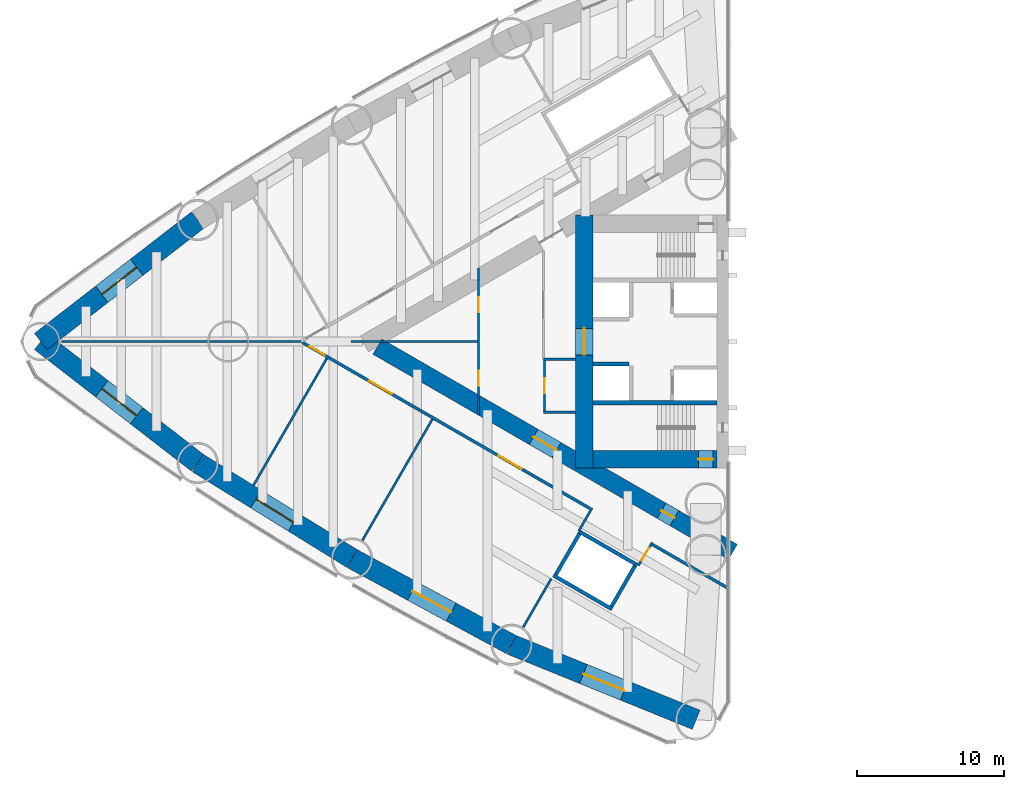
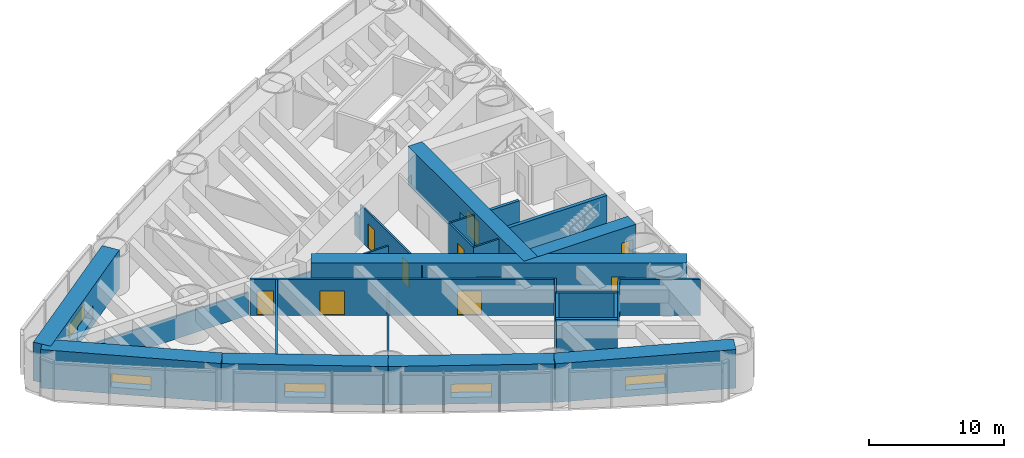
# One storey, part 15 of 20: 28 walls, 11 doors, 5 windows, 16 openings.
"""IFC4 building model written with IfcOpenShell, lengths in metres."""

from ifc_helpers import new_model, si_unit, direction, frame, frame_2d, origin, place, context, subcontext, project, spatial, rectangle, extrude, material, layer, layer_set, type_object, element, fill, save


model = new_model("IFC4")

# Units and contexts
model_context = context("Model", 3, precision=1e-05, world=origin(), true_north=direction((0.0, 1.0)))
body_context = subcontext(model_context, "Body", "Model", "MODEL_VIEW")
ifc_project = project(units=[si_unit("LENGTHUNIT", "METRE"), si_unit("AREAUNIT", "SQUARE_METRE"), si_unit("VOLUMEUNIT", "CUBIC_METRE"), si_unit("PLANEANGLEUNIT", "RADIAN"), si_unit("MASSUNIT", "GRAM", prefix="KILO")], contexts=[model_context])

# Site, building, storey
site_placement = place(None, origin())
site = spatial("IfcSite", under=ifc_project, at=site_placement, CompositionType="ELEMENT")
building_placement = place(site_placement, origin())
building = spatial("IfcBuilding", under=site, at=building_placement, Name="Lancet Gate Hotel", CompositionType="ELEMENT")
storey_placement = place(building_placement, frame((0.0, 0.0, 77.5)))
storey = spatial("IfcBuildingStorey", under=building, at=storey_placement, Name="L20", CompositionType="ELEMENT", Elevation=77.5)

# Wall, opening, window
ifc_material_1 = material(Name="Concrete C80/95", Category="concrete")
ifc_layer_1 = layer(ifc_material_1, 1.39990234375)
ifc_layer_set_1 = layer_set([ifc_layer_1], Name="Belt wall 1400")
wall_type_1 = type_object("IfcWallType", Name="Belt wall 1400", PredefinedType="SHEAR", material=ifc_layer_set_1)
wall_1_placement = place(storey_placement, frame((-63.57177734375, 8.255126953125, 0.0), z_axis=(0.0, 0.0, 1.0), x_axis=(-0.790736428665, -0.612156761281, 0.0)))
wall_1 = element("IfcWall", 1, at=wall_1_placement, inside=storey, type_object=wall_type_1, Name="T1 belt wall OS3-CA L20", PredefinedType="SHEAR", context=body_context, shape_type="SweptSolid", body=[
    extrude(rectangle(XDim=13.4853515625, YDim=1.39990234375, at=frame_2d((6.74267578125, 0.0))), origin(), (0.0, 0.0, 1.0), 3.5),
])
opening_1_placement = place(wall_1_placement, frame((5.24267578125, 0.0, 0.60009765625)))
opening_1 = element("IfcOpeningElement", 2, at=opening_1_placement, cuts=wall_1, Name="Opening LV1", PredefinedType="OPENING", context=body_context, shape_type="SweptSolid", body=[
    extrude(rectangle(XDim=3.0, YDim=1.199951171875, at=frame_2d((1.5, 0.60009765625))), frame((0.0, 0.7099609375, 0.0), z_axis=(0.0, -1.0, 0.0), x_axis=(1.0, 0.0, 0.0)), (0.0, 0.0, 1.0), 1.419921875),
])
ifc_material_2 = material(Name="Aluminium weather louvre", Category="aluminium")
window_type = type_object("IfcWindowType", Name="Refuge louvre 3000x1200", PartitioningType="SINGLE_PANEL", PredefinedType="WINDOW", material=ifc_material_2)
window_1_placement = place(opening_1_placement, origin())
window_1 = element("IfcWindow", 3, at=window_1_placement, inside=storey, type_object=window_type, Name="T1 belt louvre OS3-CA L20", OverallHeight=1.199951171875, OverallWidth=3.0, PartitioningType="SINGLE_PANEL", PredefinedType="WINDOW", context=body_context, shape_type="SweptSolid", body=[
    extrude(rectangle(XDim=3.0, YDim=1.199951171875, at=frame_2d((1.5, 0.60009765625))), frame((0.0, 0.030029296875, 0.0), z_axis=(0.0, -1.0, 0.0), x_axis=(1.0, 0.0, 0.0)), (0.0, 0.0, 1.0), 0.06005859375),
])
fill(opening_1, window_1)

wall_2_placement = place(storey_placement, frame((-74.235107421875, 0.0, 0.0), z_axis=(0.0, 0.0, 1.0), x_axis=(0.790736428665, -0.612156761281, 0.0)))
wall_2 = element("IfcWall", 4, at=wall_2_placement, inside=storey, type_object=wall_type_1, Name="T1 belt wall CA-ON1 L20", PredefinedType="SHEAR", context=body_context, shape_type="SweptSolid", body=[
    extrude(rectangle(XDim=13.4853515625, YDim=1.39990234375, at=frame_2d((6.74267578125, 0.0))), origin(), (0.0, 0.0, 1.0), 3.5),
])
opening_2_placement = place(wall_2_placement, frame((5.24267578125, 0.0, 0.60009765625)))
opening_2 = element("IfcOpeningElement", 5, at=opening_2_placement, cuts=wall_2, Name="Opening LV1", PredefinedType="OPENING", context=body_context, shape_type="SweptSolid", body=[
    extrude(rectangle(XDim=3.0, YDim=1.199951171875, at=frame_2d((1.5, 0.60009765625))), frame((0.0, 0.7099609375, 0.0), z_axis=(0.0, -1.0, 0.0), x_axis=(1.0, 0.0, 0.0)), (0.0, 0.0, 1.0), 1.419921875),
])
window_2_placement = place(opening_2_placement, origin())
window_2 = element("IfcWindow", 6, at=window_2_placement, inside=storey, type_object=window_type, Name="T1 belt louvre CA-ON1 L20", OverallHeight=1.199951171875, OverallWidth=3.0, PartitioningType="SINGLE_PANEL", PredefinedType="WINDOW", context=body_context, shape_type="SweptSolid", body=[
    extrude(rectangle(XDim=3.0, YDim=1.199951171875, at=frame_2d((1.5, 0.60009765625))), frame((0.0, 0.030029296875, 0.0), z_axis=(0.0, -1.0, 0.0), x_axis=(1.0, 0.0, 0.0)), (0.0, 0.0, 1.0), 0.06005859375),
])
fill(opening_2, window_2)

wall_3_placement = place(storey_placement, frame((-63.57177734375, -8.255126953125, 0.0), z_axis=(0.0, 0.0, 1.0), x_axis=(0.850225894333, -0.526418016984, 0.0)))
wall_3 = element("IfcWall", 7, at=wall_3_placement, inside=storey, type_object=wall_type_1, Name="T1 belt wall ON1-ON2 L20", PredefinedType="SHEAR", context=body_context, shape_type="SweptSolid", body=[
    extrude(rectangle(XDim=12.328125, YDim=1.39990234375, at=frame_2d((6.1640625, 0.0))), origin(), (0.0, 0.0, 1.0), 3.5),
])
opening_3_placement = place(wall_3_placement, frame((4.6640625, 0.0, 0.60009765625)))
opening_3 = element("IfcOpeningElement", 8, at=opening_3_placement, cuts=wall_3, Name="Opening LV1", PredefinedType="OPENING", context=body_context, shape_type="SweptSolid", body=[
    extrude(rectangle(XDim=3.0, YDim=1.199951171875, at=frame_2d((1.5, 0.60009765625))), frame((0.0, 0.7099609375, 0.0), z_axis=(0.0, -1.0, 0.0), x_axis=(1.0, 0.0, 0.0)), (0.0, 0.0, 1.0), 1.419921875),
])
window_3_placement = place(opening_3_placement, origin())
window_3 = element("IfcWindow", 9, at=window_3_placement, inside=storey, type_object=window_type, Name="T1 belt louvre ON1-ON2 L20", OverallHeight=1.199951171875, OverallWidth=3.0, PartitioningType="SINGLE_PANEL", PredefinedType="WINDOW", context=body_context, shape_type="SweptSolid", body=[
    extrude(rectangle(XDim=3.0, YDim=1.199951171875, at=frame_2d((1.5, 0.60009765625))), frame((0.0, 0.030029296875, 0.0), z_axis=(0.0, -1.0, 0.0), x_axis=(1.0, 0.0, 0.0)), (0.0, 0.0, 1.0), 0.06005859375),
])
fill(opening_3, window_3)

wall_4_placement = place(storey_placement, frame((-53.090087890625, -14.744873046875, 0.0), z_axis=(0.0, 0.0, 1.0), x_axis=(0.879692855603, -0.475542300749, 0.0)))
wall_4 = element("IfcWall", 10, at=wall_4_placement, inside=storey, type_object=wall_type_1, Name="T1 belt wall ON2-ON3 L20", PredefinedType="SHEAR", context=body_context, shape_type="SweptSolid", body=[
    extrude(rectangle(XDim=12.328125, YDim=1.39990234375, at=frame_2d((6.1640625, 0.0))), origin(), (0.0, 0.0, 1.0), 3.5),
])
opening_4_placement = place(wall_4_placement, frame((4.6640625, 0.0, 0.60009765625)))
opening_4 = element("IfcOpeningElement", 11, at=opening_4_placement, cuts=wall_4, Name="Opening LV1", PredefinedType="OPENING", context=body_context, shape_type="SweptSolid", body=[
    extrude(rectangle(XDim=3.0, YDim=1.199951171875, at=frame_2d((1.5, 0.60009765625))), frame((0.0, 0.7099609375, 0.0), z_axis=(0.0, -1.0, 0.0), x_axis=(1.0, 0.0, 0.0)), (0.0, 0.0, 1.0), 1.419921875),
])
window_4_placement = place(opening_4_placement, origin())
window_4 = element("IfcWindow", 12, at=window_4_placement, inside=storey, type_object=window_type, Name="T1 belt louvre ON2-ON3 L20", OverallHeight=1.199951171875, OverallWidth=3.0, PartitioningType="SINGLE_PANEL", PredefinedType="WINDOW", context=body_context, shape_type="SweptSolid", body=[
    extrude(rectangle(XDim=3.0, YDim=1.199951171875, at=frame_2d((1.5, 0.60009765625))), frame((0.0, 0.030029296875, 0.0), z_axis=(0.0, -1.0, 0.0), x_axis=(1.0, 0.0, 0.0)), (0.0, 0.0, 1.0), 0.06005859375),
])
fill(opening_4, window_4)

wall_5_placement = place(storey_placement, frame((-42.2451171875, -20.607421875, 0.0), z_axis=(0.0, 0.0, 1.0), x_axis=(0.926463236197, -0.376385270667, 0.0)))
wall_5 = element("IfcWall", 13, at=wall_5_placement, inside=storey, type_object=wall_type_1, Name="T1 belt wall ON3-CN L20", PredefinedType="SHEAR", context=body_context, shape_type="SweptSolid", body=[
    extrude(rectangle(XDim=13.537353515625, YDim=1.39990234375, at=frame_2d((6.7685546875, 0.0))), origin(), (0.0, 0.0, 1.0), 3.5),
])
opening_5_placement = place(wall_5_placement, frame((5.268798828125, 0.0, 0.60009765625)))
opening_5 = element("IfcOpeningElement", 14, at=opening_5_placement, cuts=wall_5, Name="Opening LV1", PredefinedType="OPENING", context=body_context, shape_type="SweptSolid", body=[
    extrude(rectangle(XDim=3.0, YDim=1.199951171875, at=frame_2d((1.5, 0.60009765625))), frame((0.0, 0.7099609375, 0.0), z_axis=(0.0, -1.0, 0.0), x_axis=(1.0, 0.0, 0.0)), (0.0, 0.0, 1.0), 1.419921875),
])
window_5_placement = place(opening_5_placement, origin())
window_5 = element("IfcWindow", 15, at=window_5_placement, inside=storey, type_object=window_type, Name="T1 belt louvre ON3-CN L20", OverallHeight=1.199951171875, OverallWidth=3.0, PartitioningType="SINGLE_PANEL", PredefinedType="WINDOW", context=body_context, shape_type="SweptSolid", body=[
    extrude(rectangle(XDim=3.0, YDim=1.199951171875, at=frame_2d((1.5, 0.60009765625))), frame((0.0, 0.030029296875, 0.0), z_axis=(0.0, -1.0, 0.0), x_axis=(1.0, 0.0, 0.0)), (0.0, 0.0, 1.0), 0.06005859375),
])
fill(opening_5, window_5)

# Wall, openings, doors
ifc_material_3 = material(Name="Concrete C70/85", Category="concrete")
ifc_layer_2 = layer(ifc_material_3, 1.199951171875)
ifc_layer_set_2 = layer_set([ifc_layer_2], Name="Buttress wall 1200")
wall_type_2 = type_object("IfcWallType", Name="Buttress wall 1200", PredefinedType="SHEAR", material=ifc_layer_set_2)
wall_6_placement = place(storey_placement, frame((-27.199951171875, -14.300048828125, 0.0), z_axis=(0.0, 0.0, 1.0), x_axis=(-0.866024021859, 0.500002393557, 0.0)))
wall_6 = element("IfcWall", 16, at=wall_6_placement, inside=storey, type_object=wall_type_2, Name="T1 buttress wall N L20", PredefinedType="SHEAR", context=body_context, shape_type="SweptSolid", body=[
    extrude(rectangle(XDim=27.906982421875, YDim=1.199951171875, at=frame_2d((13.95361328125, 0.0))), origin(), (0.0, 0.0, 1.0), 3.5),
])
opening_6_placement = place(wall_6_placement, frame((4.60009765625, 0.0, 0.0)))
opening_6 = element("IfcOpeningElement", 17, at=opening_6_placement, cuts=wall_6, Name="Opening T1-L20-LN", PredefinedType="OPENING", context=body_context, shape_type="SweptSolid", body=[
    extrude(rectangle(XDim=1.0, YDim=2.199951171875, at=frame_2d((0.5, 1.10009765625))), frame((0.0, 0.60986328125, 0.0), z_axis=(0.0, -1.0, 0.0), x_axis=(1.0, 0.0, 0.0)), (0.0, 0.0, 1.0), 1.219970703125),
])
opening_7_placement = place(wall_6_placement, frame((13.844970703125, 0.0, 0.0)))
opening_7 = element("IfcOpeningElement", 18, at=opening_7_placement, cuts=wall_6, Name="Opening T1-L20-LHN", PredefinedType="OPENING", context=body_context, shape_type="SweptSolid", body=[
    extrude(rectangle(XDim=1.800048828125, YDim=2.199951171875, at=frame_2d((0.89990234375, 1.10009765625))), frame((0.0, 0.60986328125, 0.0), z_axis=(0.0, -1.0, 0.0), x_axis=(1.0, 0.0, 0.0)), (0.0, 0.0, 1.0), 1.219970703125),
])
ifc_material_4 = material(Name="Timber door set", Category="wood")
door_type_1 = type_object("IfcDoorType", Name="Lobby double door 1800", OperationType="DOUBLE_DOOR_SINGLE_SWING", PredefinedType="DOOR", material=ifc_material_4)
door_1_placement = place(opening_7_placement, origin())
door_1 = element("IfcDoor", 19, at=door_1_placement, inside=storey, type_object=door_type_1, Name="T1-L20-LHN", OperationType="DOUBLE_DOOR_SINGLE_SWING", OverallHeight=2.199951171875, OverallWidth=1.800048828125, PredefinedType="DOOR", context=body_context, shape_type="SweptSolid", body=[
    extrude(rectangle(XDim=1.800048828125, YDim=2.199951171875, at=frame_2d((0.89990234375, 1.10009765625))), frame((0.0, 0.02490234375, 0.0), z_axis=(0.0, -1.0, 0.0), x_axis=(1.0, 0.0, 0.0)), (0.0, 0.0, 1.0), 0.050048828125),
])
fill(opening_7, door_1)
ifc_material_5 = material(Name="Timber door set", Category="wood")
door_type_2 = type_object("IfcDoorType", Name="Stair lobby door 1000", OperationType="SINGLE_SWING_LEFT", PredefinedType="DOOR", material=ifc_material_5)
door_2_placement = place(opening_6_placement, origin())
door_2 = element("IfcDoor", 20, at=door_2_placement, inside=storey, type_object=door_type_2, Name="T1-L20-LN", OperationType="SINGLE_SWING_LEFT", OverallHeight=2.199951171875, OverallWidth=1.0, PredefinedType="DOOR", context=body_context, shape_type="SweptSolid", body=[
    extrude(rectangle(XDim=1.0, YDim=2.199951171875, at=frame_2d((0.5, 1.10009765625))), frame((0.0, 0.02490234375, 0.0), z_axis=(0.0, -1.0, 0.0), x_axis=(1.0, 0.0, 0.0)), (0.0, 0.0, 1.0), 0.050048828125),
])
fill(opening_6, door_2)

# Wall, opening, door
ifc_material_6 = material(Name="Concrete C70/85", Category="concrete")
ifc_layer_3 = layer(ifc_material_6, 1.199951171875)
ifc_layer_set_3 = layer_set([ifc_layer_3], Name="Core wall 1200")
wall_type_3 = type_object("IfcWallType", Name="Core wall 1200", PredefinedType="SHEAR", material=ifc_layer_set_3)
wall_7_placement = place(storey_placement, frame((-37.300048828125, 8.60009765625, 0.0), z_axis=(0.0, 0.0, 1.0), x_axis=(0.0, -1.0, 0.0)))
wall_7 = element("IfcWall", 21, at=wall_7_placement, inside=storey, type_object=wall_type_3, Name="T1 core wall back L20", PredefinedType="SHEAR", context=body_context, shape_type="SweptSolid", body=[
    extrude(rectangle(XDim=17.2001953125, YDim=1.199951171875, at=frame_2d((8.60009765625, 0.0))), origin(), (0.0, 0.0, 1.0), 3.5),
])
opening_8_placement = place(wall_7_placement, frame((7.699951171875, 0.0, 0.0)))
opening_8 = element("IfcOpeningElement", 22, at=opening_8_placement, cuts=wall_7, Name="Opening T1-L20-LL", PredefinedType="OPENING", context=body_context, shape_type="SweptSolid", body=[
    extrude(rectangle(XDim=1.800048828125, YDim=2.199951171875, at=frame_2d((0.89990234375, 1.10009765625))), frame((0.0, 0.60986328125, 0.0), z_axis=(0.0, -1.0, 0.0), x_axis=(1.0, 0.0, 0.0)), (0.0, 0.0, 1.0), 1.219970703125),
])
door_3_placement = place(opening_8_placement, origin())
door_3 = element("IfcDoor", 23, at=door_3_placement, inside=storey, type_object=door_type_1, Name="T1-L20-LL", OperationType="DOUBLE_DOOR_SINGLE_SWING", OverallHeight=2.199951171875, OverallWidth=1.800048828125, PredefinedType="DOOR", context=body_context, shape_type="SweptSolid", body=[
    extrude(rectangle(XDim=1.800048828125, YDim=2.199951171875, at=frame_2d((0.89990234375, 1.10009765625))), frame((0.0, 0.02490234375, 0.0), z_axis=(0.0, -1.0, 0.0), x_axis=(1.0, 0.0, 0.0)), (0.0, 0.0, 1.0), 0.050048828125),
])
fill(opening_8, door_3)

wall_8_placement = place(storey_placement, frame((-28.300048828125, -8.0, 0.0), z_axis=(0.0, 0.0, 1.0), x_axis=(-1.0, 0.0, 0.0)))
wall_8 = element("IfcWall", 24, at=wall_8_placement, inside=storey, type_object=wall_type_3, Name="T1 core wall side-N L20", PredefinedType="SHEAR", context=body_context, shape_type="SweptSolid", body=[
    extrude(rectangle(XDim=8.39990234375, YDim=1.199951171875, at=frame_2d((4.199951171875, 0.0))), origin(), (0.0, 0.0, 1.0), 3.5),
])
opening_9_placement = place(wall_8_placement, frame((0.25, 0.0, 0.0)))
opening_9 = element("IfcOpeningElement", 25, at=opening_9_placement, cuts=wall_8, Name="Opening T1-L20-ST2", PredefinedType="OPENING", context=body_context, shape_type="SweptSolid", body=[
    extrude(rectangle(XDim=1.0, YDim=2.199951171875, at=frame_2d((0.5, 1.10009765625))), frame((0.0, 0.60986328125, 0.0), z_axis=(0.0, -1.0, 0.0), x_axis=(1.0, 0.0, 0.0)), (0.0, 0.0, 1.0), 1.219970703125),
])
ifc_material_7 = material(Name="Timber door set", Category="wood")
door_type_3 = type_object("IfcDoorType", Name="Stair door 1000", OperationType="SINGLE_SWING_RIGHT", PredefinedType="DOOR", material=ifc_material_7)
door_4_placement = place(opening_9_placement, origin())
door_4 = element("IfcDoor", 26, at=door_4_placement, inside=storey, type_object=door_type_3, Name="T1-L20-ST2", OperationType="SINGLE_SWING_RIGHT", OverallHeight=2.199951171875, OverallWidth=1.0, PredefinedType="DOOR", context=body_context, shape_type="SweptSolid", body=[
    extrude(rectangle(XDim=1.0, YDim=2.199951171875, at=frame_2d((0.5, 1.10009765625))), frame((0.0, 0.02490234375, 0.0), z_axis=(0.0, -1.0, 0.0), x_axis=(1.0, 0.0, 0.0)), (0.0, 0.0, 1.0), 0.050048828125),
])
fill(opening_9, door_4)

# Wall
ifc_material_8 = material(Name="Gypsum board partition")
ifc_layer_4 = layer(ifc_material_8, 0.199951171875)
ifc_layer_set_4 = layer_set([ifc_layer_4], Name="Corridor wall 200")
wall_type_4 = type_object("IfcWallType", Name="Corridor wall 200", PredefinedType="PARTITIONING", material=ifc_layer_set_4)
wall_9_placement = place(storey_placement, frame((-27.5, -16.782470703125, 0.0), z_axis=(0.0, 0.0, 1.0), x_axis=(-0.866030050624, 0.499991951352, 0.0)))
element("IfcWall", 27, at=wall_9_placement, inside=storey, type_object=wall_type_4, Name="T1 corridor wall 200 L20", PredefinedType="PARTITIONING", context=body_context, shape_type="SweptSolid", body=[
    extrude(rectangle(XDim=6.0380859375, YDim=0.199951171875, at=frame_2d((3.01904296875, 0.0))), origin(), (0.0, 0.0, 1.0), 3.25),
])

# Wall, openings, doors
wall_10_placement = place(storey_placement, frame((-36.920166015625, -11.34375, 0.0), z_axis=(0.0, 0.0, 1.0), x_axis=(-0.866028313256, 0.499994960614, 0.0)))
wall_10 = element("IfcWall", 28, at=wall_10_placement, inside=storey, type_object=wall_type_4, Name="T1 corridor wall 200 L20", PredefinedType="PARTITIONING", context=body_context, shape_type="SweptSolid", body=[
    extrude(rectangle(XDim=22.567626953125, YDim=0.199951171875, at=frame_2d((11.28369140625, 0.0))), origin(), (0.0, 0.0, 1.0), 3.25),
])
opening_10_placement = place(wall_10_placement, frame((20.80810546875, 0.0, 0.0)))
opening_10 = element("IfcOpeningElement", 29, at=opening_10_placement, cuts=wall_10, Name="Opening T1-L20-A05", PredefinedType="OPENING", context=body_context, shape_type="SweptSolid", body=[
    extrude(rectangle(XDim=1.208984375, YDim=2.199951171875, at=frame_2d((0.6044921875, 1.10009765625))), frame((0.0, 0.10986328125, 0.0), z_axis=(0.0, -1.0, 0.0), x_axis=(1.0, 0.0, 0.0)), (0.0, 0.0, 1.0), 0.219970703125),
])
opening_11_placement = place(wall_10_placement, frame((15.54443359375, 0.0, 0.0)))
opening_11 = element("IfcOpeningElement", 30, at=opening_11_placement, cuts=wall_10, Name="Opening T1-L20-A06", PredefinedType="OPENING", context=body_context, shape_type="SweptSolid", body=[
    extrude(rectangle(XDim=1.800048828125, YDim=2.199951171875, at=frame_2d((0.89990234375, 1.10009765625))), frame((0.0, 0.10986328125, 0.0), z_axis=(0.0, -1.0, 0.0), x_axis=(1.0, 0.0, 0.0)), (0.0, 0.0, 1.0), 0.219970703125),
])
opening_12_placement = place(wall_10_placement, frame((5.364990234375, 0.0, 0.0)))
opening_12 = element("IfcOpeningElement", 31, at=opening_12_placement, cuts=wall_10, Name="Opening T1-L20-A07", PredefinedType="OPENING", context=body_context, shape_type="SweptSolid", body=[
    extrude(rectangle(XDim=1.800048828125, YDim=2.199951171875, at=frame_2d((0.89990234375, 1.10009765625))), frame((0.0, 0.10986328125, 0.0), z_axis=(0.0, -1.0, 0.0), x_axis=(1.0, 0.0, 0.0)), (0.0, 0.0, 1.0), 0.219970703125),
])
ifc_material_9 = material(Name="Timber door set", Category="wood")
door_type_4 = type_object("IfcDoorType", Name="Double door 1800", OperationType="DOUBLE_DOOR_SINGLE_SWING", PredefinedType="DOOR", material=ifc_material_9)
door_5_placement = place(opening_11_placement, origin())
door_5 = element("IfcDoor", 32, at=door_5_placement, inside=storey, type_object=door_type_4, Name="T1-L20-A06", OperationType="DOUBLE_DOOR_SINGLE_SWING", OverallHeight=2.199951171875, OverallWidth=1.800048828125, PredefinedType="DOOR", context=body_context, shape_type="SweptSolid", body=[
    extrude(rectangle(XDim=1.800048828125, YDim=2.199951171875, at=frame_2d((0.89990234375, 1.10009765625))), frame((0.0, 0.02490234375, 0.0), z_axis=(0.0, -1.0, 0.0), x_axis=(1.0, 0.0, 0.0)), (0.0, 0.0, 1.0), 0.050048828125),
])
fill(opening_11, door_5)
door_6_placement = place(opening_12_placement, origin())
door_6 = element("IfcDoor", 33, at=door_6_placement, inside=storey, type_object=door_type_4, Name="T1-L20-A07", OperationType="DOUBLE_DOOR_SINGLE_SWING", OverallHeight=2.199951171875, OverallWidth=1.800048828125, PredefinedType="DOOR", context=body_context, shape_type="SweptSolid", body=[
    extrude(rectangle(XDim=1.800048828125, YDim=2.199951171875, at=frame_2d((0.89990234375, 1.10009765625))), frame((0.0, 0.02490234375, 0.0), z_axis=(0.0, -1.0, 0.0), x_axis=(1.0, 0.0, 0.0)), (0.0, 0.0, 1.0), 0.050048828125),
])
fill(opening_12, door_6)
ifc_material_10 = material(Name="Timber door set", Category="wood")
door_type_5 = type_object("IfcDoorType", Name="Guest room entry door 950", OperationType="SINGLE_SWING_LEFT", PredefinedType="DOOR", material=ifc_material_10)
door_7_placement = place(opening_10_placement, origin())
door_7 = element("IfcDoor", 34, at=door_7_placement, inside=storey, type_object=door_type_5, Name="T1-L20-A05", OperationType="SINGLE_SWING_LEFT", OverallHeight=2.199951171875, OverallWidth=1.208984375, PredefinedType="DOOR", context=body_context, shape_type="SweptSolid", body=[
    extrude(rectangle(XDim=1.208984375, YDim=2.199951171875, at=frame_2d((0.6044921875, 1.10009765625))), frame((0.0, 0.02490234375, 0.0), z_axis=(0.0, -1.0, 0.0), x_axis=(1.0, 0.0, 0.0)), (0.0, 0.0, 1.0), 0.050048828125),
])
fill(opening_10, door_7)

# Walls
ifc_material_11 = material(Name="Gypsum board partition")
ifc_layer_5 = layer(ifc_material_11, 0.25)
ifc_layer_set_5 = layer_set([ifc_layer_5], Name="Lift shaft partition 250")
wall_type_5 = type_object("IfcWallType", Name="Lift shaft partition 250", PredefinedType="PARTITIONING", material=ifc_layer_set_5)
wall_11_placement = place(storey_placement, frame((-33.695556640625, -15.197265625, 0.0), z_axis=(0.0, 0.0, 1.0), x_axis=(-0.865976953817, 0.500083908417, 0.0)))
element("IfcWall", 35, at=wall_11_placement, inside=storey, type_object=wall_type_5, Name="T1 lift shaft wall EX L20", PredefinedType="PARTITIONING", context=body_context, shape_type="SweptSolid", body=[
    extrude(rectangle(XDim=4.599365234375, YDim=0.25, at=frame_2d((2.2998046875, 0.0))), origin(), (0.0, 0.0, 1.0), 3.25),
])
wall_12_placement = place(storey_placement, frame((-35.42041015625, -18.185791015625, 0.0), z_axis=(0.0, 0.0, 1.0), x_axis=(-0.865990227814, 0.50006092162, 0.0)))
element("IfcWall", 36, at=wall_12_placement, inside=storey, type_object=wall_type_5, Name="T1 lift shaft wall EX L20", PredefinedType="PARTITIONING", context=body_context, shape_type="SweptSolid", body=[
    extrude(rectangle(XDim=4.599609375, YDim=0.25, at=frame_2d((2.2998046875, 0.0))), origin(), (0.0, 0.0, 1.0), 3.25),
])
wall_13_placement = place(storey_placement, frame((-33.8662109375, -15.242919921875, 0.0), z_axis=(0.0, 0.0, 1.0), x_axis=(-0.499929347863, -0.866066190972, 0.0)))
element("IfcWall", 37, at=wall_13_placement, inside=storey, type_object=wall_type_5, Name="T1 lift shaft wall EX L20", PredefinedType="PARTITIONING", context=body_context, shape_type="SweptSolid", body=[
    extrude(rectangle(XDim=3.20068359375, YDim=0.25, at=frame_2d((1.600341796875, 0.0))), origin(), (0.0, 0.0, 1.0), 3.25),
])
wall_14_placement = place(storey_placement, frame((-37.6328125, -13.068115234375, 0.0), z_axis=(0.0, 0.0, 1.0), x_axis=(-0.499872130319, -0.866099216793, 0.0)))
element("IfcWall", 38, at=wall_14_placement, inside=storey, type_object=wall_type_5, Name="T1 lift shaft wall EX L20", PredefinedType="PARTITIONING", context=body_context, shape_type="SweptSolid", body=[
    extrude(rectangle(XDim=3.200439453125, YDim=0.25, at=frame_2d((1.60009765625, 0.0))), origin(), (0.0, 0.0, 1.0), 3.25),
])
ifc_material_12 = material(Name="Concrete C50/60", Category="concrete")
ifc_layer_6 = layer(ifc_material_12, 0.25)
ifc_layer_set_6 = layer_set([ifc_layer_6], Name="Lift shaft wall 250")
wall_type_6 = type_object("IfcWallType", Name="Lift shaft wall 250", PredefinedType="SHEAR", material=ifc_layer_set_6)
wall_15_placement = place(storey_placement, frame((-34.25, -1.52490234375, 0.0), z_axis=(0.0, 0.0, 1.0), x_axis=(-1.0, 0.0, 0.0)))
element("IfcWall", 39, at=wall_15_placement, inside=storey, type_object=wall_type_6, Name="T1 core wall pass2-N L20", PredefinedType="SHEAR", context=body_context, shape_type="SweptSolid", body=[
    extrude(rectangle(XDim=2.449951171875, YDim=0.25, at=frame_2d((1.22509765625, 0.0))), origin(), (0.0, 0.0, 1.0), 3.5),
])
ifc_material_13 = material(Name="Gypsum board partition")
ifc_layer_7 = layer(ifc_material_13, 0.14990234375)
ifc_layer_set_7 = layer_set([ifc_layer_7], Name="Party wall 150")
wall_type_7 = type_object("IfcWallType", Name="Party wall 150", PredefinedType="PARTITIONING", material=ifc_layer_set_7)
wall_16_placement = place(storey_placement, frame((-47.626708984375, -5.27783203125, 0.0), z_axis=(0.0, 0.0, 1.0), x_axis=(-0.500009844318, -0.86601972009, 0.0)))
element("IfcWall", 40, at=wall_16_placement, inside=storey, type_object=wall_type_7, Name="T1 party wall 150 L20", PredefinedType="PARTITIONING", context=body_context, shape_type="SweptSolid", body=[
    extrude(rectangle(XDim=9.510498046875, YDim=0.14990234375, at=frame_2d((4.75537109375, 0.0))), origin(), (0.0, 0.0, 1.0), 2.050048828125),
])
wall_17_placement = place(storey_placement, frame((-54.796142578125, -1.138671875, 0.0), z_axis=(0.0, 0.0, 1.0), x_axis=(-0.500000698915, -0.866025000265, 0.0)))
element("IfcWall", 41, at=wall_17_placement, inside=storey, type_object=wall_type_7, Name="T1 party wall 150 L20", PredefinedType="PARTITIONING", context=body_context, shape_type="SweptSolid", body=[
    extrude(rectangle(XDim=9.97509765625, YDim=0.14990234375, at=frame_2d((4.987548828125, 0.0))), origin(), (0.0, 0.0, 1.0), 3.25),
])
wall_18_placement = place(storey_placement, frame((-56.568359375, 0.0, 0.0), z_axis=(0.0, 0.0, 1.0), x_axis=(-1.0, 0.0, 0.0)))
element("IfcWall", 42, at=wall_18_placement, inside=storey, type_object=wall_type_7, Name="T1 party wall 150 L20", PredefinedType="PARTITIONING", context=body_context, shape_type="SweptSolid", body=[
    extrude(rectangle(XDim=16.246826171875, YDim=0.14990234375, at=frame_2d((8.12353515625, 0.0))), origin(), (0.0, 0.0, 1.0), 2.050048828125),
])
wall_19_placement = place(storey_placement, frame((-39.55078125, -16.118408203125, 0.0), z_axis=(0.0, 0.0, 1.0), x_axis=(-0.499986503906, -0.866033195618, 0.0)))
element("IfcWall", 43, at=wall_19_placement, inside=storey, type_object=wall_type_7, Name="T1 party wall 150 L20", PredefinedType="PARTITIONING", context=body_context, shape_type="SweptSolid", body=[
    extrude(rectangle(XDim=3.81494140625, YDim=0.14990234375, at=frame_2d((1.907470703125, 0.0))), origin(), (0.0, 0.0, 1.0), 3.25),
])
ifc_material_14 = material(Name="Gypsum board partition")
ifc_layer_8 = layer(ifc_material_14, 0.14990234375)
ifc_layer_set_8 = layer_set([ifc_layer_8], Name="Service room wall 150")
wall_type_8 = type_object("IfcWallType", Name="Service room wall 150", PredefinedType="PARTITIONING", material=ifc_layer_set_8)
wall_20_placement = place(storey_placement, frame((-36.775634765625, -11.311767578125, 0.0), z_axis=(0.0, 0.0, 1.0), x_axis=(-0.500038651731, -0.866003087047, 0.0)))
element("IfcWall", 44, at=wall_20_placement, inside=storey, type_object=wall_type_8, Name="T1 service room wall 150 L20", PredefinedType="PARTITIONING", context=body_context, shape_type="SweptSolid", body=[
    extrude(rectangle(XDim=1.804443359375, YDim=0.14990234375, at=frame_2d((0.90234375, 0.0))), origin(), (0.0, 0.0, 1.0), 3.25),
])

# Wall, opening, door
wall_21_placement = place(storey_placement, frame((-33.62060546875, -15.217529296875, 0.0), z_axis=(0.0, 0.0, 1.0), x_axis=(0.514336634837, 0.857588377991, 0.0)))
wall_21 = element("IfcWall", 45, at=wall_21_placement, inside=storey, type_object=wall_type_8, Name="T1 service room wall 150 L20", PredefinedType="PARTITIONING", context=body_context, shape_type="SweptSolid", body=[
    extrude(rectangle(XDim=1.80517578125, YDim=0.14990234375, at=frame_2d((0.902587890625, 0.0))), origin(), (0.0, 0.0, 1.0), 3.25),
])
opening_13_placement = place(wall_21_placement, frame((0.402587890625, 0.0, 0.0)))
opening_13 = element("IfcOpeningElement", 46, at=opening_13_placement, cuts=wall_21, Name="Opening T1-L20-A08", PredefinedType="OPENING", context=body_context, shape_type="SweptSolid", body=[
    extrude(rectangle(XDim=1.0, YDim=2.0400390625, at=frame_2d((0.5, 1.02001953125))), frame((0.0, 0.0849609375, 0.0), z_axis=(0.0, -1.0, 0.0), x_axis=(1.0, 0.0, 0.0)), (0.0, 0.0, 1.0), 0.169921875),
])
ifc_material_15 = material(Name="Timber door set", Category="wood")
door_type_6 = type_object("IfcDoorType", Name="Service door 1000, 2040 high", OperationType="SINGLE_SWING_LEFT", PredefinedType="DOOR", material=ifc_material_15)
door_8_placement = place(opening_13_placement, origin())
door_8 = element("IfcDoor", 47, at=door_8_placement, inside=storey, type_object=door_type_6, Name="T1-L20-A08", OperationType="SINGLE_SWING_LEFT", OverallHeight=2.0400390625, OverallWidth=1.0, PredefinedType="DOOR", context=body_context, shape_type="SweptSolid", body=[
    extrude(rectangle(XDim=1.0, YDim=2.0400390625, at=frame_2d((0.5, 1.02001953125))), frame((0.0, 0.02490234375, 0.0), z_axis=(0.0, -1.0, 0.0), x_axis=(1.0, 0.0, 0.0)), (0.0, 0.0, 1.0), 0.050048828125),
])
fill(opening_13, door_8)

# Walls
for number, where, z_axis, x_axis, name in (
    (48, (-37.89990234375, -1.199951171875, 0.0), (0.0, 0.0, 1.0), (-1.0, 0.0, 0.0), "T1 service room wall 150 L20"),
    (49, (-37.89990234375, -4.800048828125, 0.0), (0.0, 0.0, 1.0), (-1.0, 0.0, 0.0), "T1 service room wall 150 L20"),
):
    element("IfcWall", number, at=place(storey_placement, frame(where, z_axis=z_axis, x_axis=x_axis)), inside=storey, type_object=wall_type_8, Name=name, PredefinedType="PARTITIONING", context=body_context, shape_type="SweptSolid", body=[
        extrude(rectangle(XDim=2.175048828125, YDim=0.14990234375, at=frame_2d((1.08740234375, 0.0))), origin(), (0.0, 0.0, 1.0), 3.25),
    ])

# Wall, opening, door
wall_22_placement = place(storey_placement, frame((-40.0, -1.125, 0.0), z_axis=(0.0, 0.0, 1.0), x_axis=(0.0, -1.0, 0.0)))
wall_22 = element("IfcWall", 50, at=wall_22_placement, inside=storey, type_object=wall_type_8, Name="T1 service room wall 150 L20", PredefinedType="PARTITIONING", context=body_context, shape_type="SweptSolid", body=[
    extrude(rectangle(XDim=3.75, YDim=0.14990234375, at=frame_2d((1.875, 0.0))), origin(), (0.0, 0.0, 1.0), 3.25),
])
opening_14_placement = place(wall_22_placement, frame((1.375, 0.0, 0.0)))
opening_14 = element("IfcOpeningElement", 51, at=opening_14_placement, cuts=wall_22, Name="Opening T1-L20-HRN0", PredefinedType="OPENING", context=body_context, shape_type="SweptSolid", body=[
    extrude(rectangle(XDim=1.0, YDim=2.199951171875, at=frame_2d((0.5, 1.10009765625))), frame((0.0, 0.0849609375, 0.0), z_axis=(0.0, -1.0, 0.0), x_axis=(1.0, 0.0, 0.0)), (0.0, 0.0, 1.0), 0.169921875),
])
ifc_material_16 = material(Name="Timber door set", Category="wood")
door_type_7 = type_object("IfcDoorType", Name="Service door 1000", OperationType="SINGLE_SWING_LEFT", PredefinedType="DOOR", material=ifc_material_16)
door_9_placement = place(opening_14_placement, origin())
door_9 = element("IfcDoor", 52, at=door_9_placement, inside=storey, type_object=door_type_7, Name="T1-L20-HRN0", OperationType="SINGLE_SWING_LEFT", OverallHeight=2.199951171875, OverallWidth=1.0, PredefinedType="DOOR", context=body_context, shape_type="SweptSolid", body=[
    extrude(rectangle(XDim=1.0, YDim=2.199951171875, at=frame_2d((0.5, 1.10009765625))), frame((0.0, 0.02490234375, 0.0), z_axis=(0.0, -1.0, 0.0), x_axis=(1.0, 0.0, 0.0)), (0.0, 0.0, 1.0), 0.050048828125),
])
fill(opening_14, door_9)

# Wall, openings, doors
wall_23_placement = place(storey_placement, frame((-44.5, 4.168701171875, 0.0), z_axis=(0.0, 0.0, 1.0), x_axis=(0.0, -1.0, 0.0)))
wall_23 = element("IfcWall", 53, at=wall_23_placement, inside=storey, type_object=wall_type_8, Name="T1 service room wall 150 L20", PredefinedType="PARTITIONING", context=body_context, shape_type="SweptSolid", body=[
    extrude(rectangle(XDim=9.17333984375, YDim=0.14990234375, at=frame_2d((4.586669921875, 0.0))), origin(), (0.0, 0.0, 1.0), 3.25),
])
opening_15_placement = place(wall_23_placement, frame((1.16650390625, 0.0, 0.0)))
opening_15 = element("IfcOpeningElement", 54, at=opening_15_placement, cuts=wall_23, Name="Opening T1-L20-SV", PredefinedType="OPENING", context=body_context, shape_type="SweptSolid", body=[
    extrude(rectangle(XDim=1.0, YDim=2.199951171875, at=frame_2d((0.5, 1.10009765625))), frame((0.0, 0.0849609375, 0.0), z_axis=(0.0, -1.0, 0.0), x_axis=(1.0, 0.0, 0.0)), (0.0, 0.0, 1.0), 0.169921875),
])
opening_16_placement = place(wall_23_placement, frame((6.171142578125, 0.0, 0.0)))
opening_16 = element("IfcOpeningElement", 55, at=opening_16_placement, cuts=wall_23, Name="Opening T1-L20-SV2", PredefinedType="OPENING", context=body_context, shape_type="SweptSolid", body=[
    extrude(rectangle(XDim=1.0, YDim=2.199951171875, at=frame_2d((0.5, 1.10009765625))), frame((0.0, 0.0849609375, 0.0), z_axis=(0.0, -1.0, 0.0), x_axis=(1.0, 0.0, 0.0)), (0.0, 0.0, 1.0), 0.169921875),
])
door_10_placement = place(opening_15_placement, origin())
door_10 = element("IfcDoor", 56, at=door_10_placement, inside=storey, type_object=door_type_7, Name="T1-L20-SV", OperationType="SINGLE_SWING_LEFT", OverallHeight=2.199951171875, OverallWidth=1.0, PredefinedType="DOOR", context=body_context, shape_type="SweptSolid", body=[
    extrude(rectangle(XDim=1.0, YDim=2.199951171875, at=frame_2d((0.5, 1.10009765625))), frame((0.0, 0.02490234375, 0.0), z_axis=(0.0, -1.0, 0.0), x_axis=(1.0, 0.0, 0.0)), (0.0, 0.0, 1.0), 0.050048828125),
])
fill(opening_15, door_10)
door_11_placement = place(opening_16_placement, origin())
door_11 = element("IfcDoor", 57, at=door_11_placement, inside=storey, type_object=door_type_7, Name="T1-L20-SV2", OperationType="SINGLE_SWING_LEFT", OverallHeight=2.199951171875, OverallWidth=1.0, PredefinedType="DOOR", context=body_context, shape_type="SweptSolid", body=[
    extrude(rectangle(XDim=1.0, YDim=2.199951171875, at=frame_2d((0.5, 1.10009765625))), frame((0.0, 0.02490234375, 0.0), z_axis=(0.0, -1.0, 0.0), x_axis=(1.0, 0.0, 0.0)), (0.0, 0.0, 1.0), 0.050048828125),
])
fill(opening_16, door_11)

# Walls
wall_24_placement = place(storey_placement, frame((-44.574951171875, 0.0, 0.0), z_axis=(0.0, 0.0, 1.0), x_axis=(-1.0, 0.0, 0.0)))
element("IfcWall", 58, at=wall_24_placement, inside=storey, type_object=wall_type_8, Name="T1 service room wall 150 L20", PredefinedType="PARTITIONING", context=body_context, shape_type="SweptSolid", body=[
    extrude(rectangle(XDim=8.59326171875, YDim=0.14990234375, at=frame_2d((4.296630859375, 0.0))), origin(), (0.0, 0.0, 1.0), 2.050048828125),
])
wall_25_placement = place(storey_placement, frame((-44.5, 5.004638671875, 0.0), z_axis=(0.0, 0.0, 1.0), x_axis=(0.0, -1.0, 0.0)))
element("IfcWall", 59, at=wall_25_placement, inside=storey, type_object=wall_type_8, Name="T1 service room wall 150 L20", PredefinedType="PARTITIONING", context=body_context, shape_type="SweptSolid", body=[
    extrude(rectangle(XDim=0.8359375, YDim=0.14990234375, at=frame_2d((0.41796875, 0.0))), origin(), (0.0, 0.0, 1.0), 2.050048828125),
])
ifc_material_17 = material(Name="Concrete C50/60", Category="concrete")
ifc_layer_9 = layer(ifc_material_17, 0.300048828125)
ifc_layer_set_9 = layer_set([ifc_layer_9], Name="Stair enclosure wall 300")
wall_type_9 = type_object("IfcWallType", Name="Stair enclosure wall 300", PredefinedType="SHEAR", material=ifc_layer_set_9)
wall_26_placement = place(storey_placement, frame((-28.300048828125, -4.14990234375, 0.0), z_axis=(0.0, 0.0, 1.0), x_axis=(-1.0, 0.0, 0.0)))
element("IfcWall", 60, at=wall_26_placement, inside=storey, type_object=wall_type_9, Name="T1 core wall stair-N L20", PredefinedType="SHEAR", context=body_context, shape_type="SweptSolid", body=[
    extrude(rectangle(XDim=8.39990234375, YDim=0.300048828125, at=frame_2d((4.199951171875, 0.0))), origin(), (0.0, 0.0, 1.0), 3.5),
])

save(model, "model.ifc")
